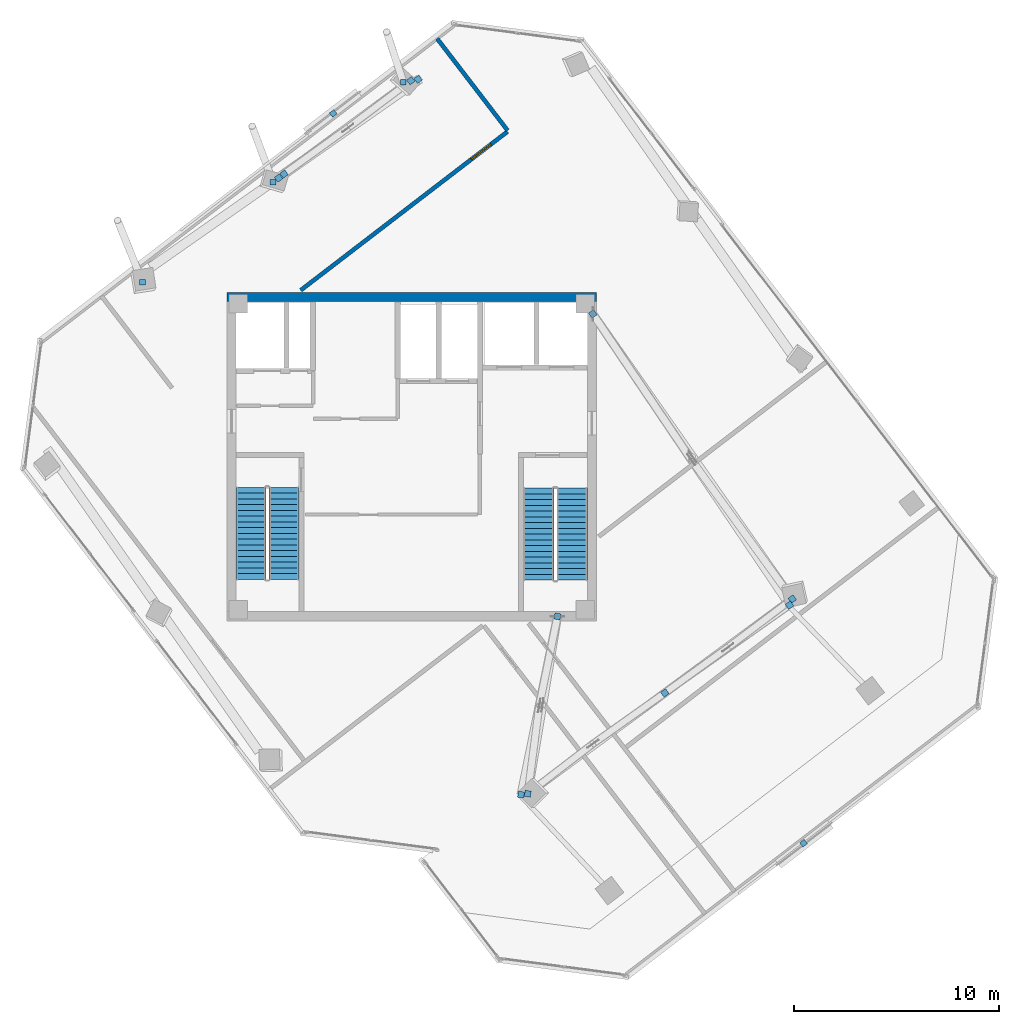
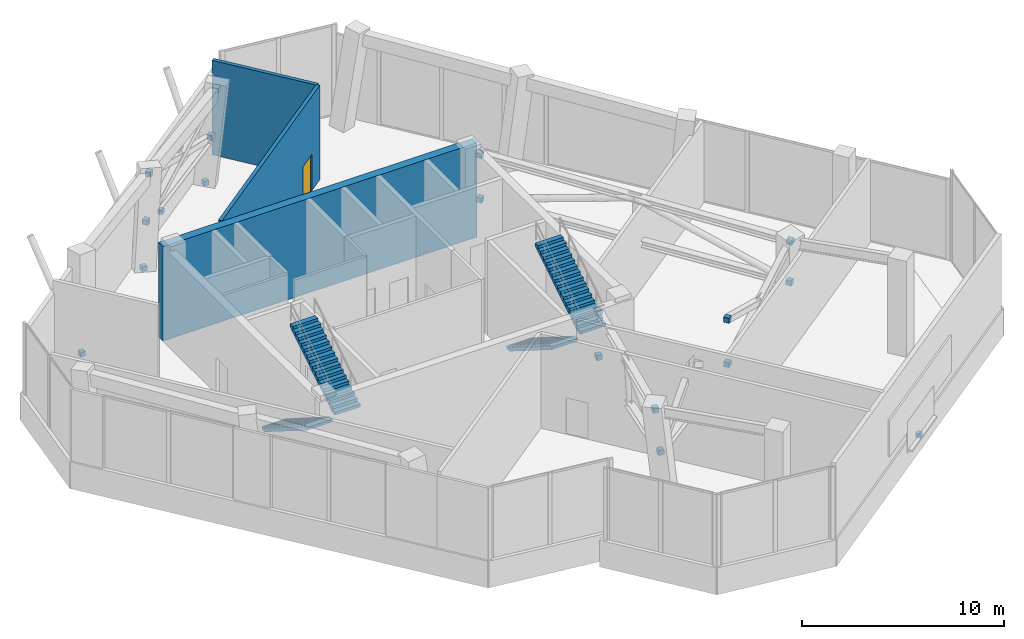
# One storey, part 16 of 19: 19 discrete accessories, 4 stair flights, 3 walls, 1 door, 1 opening, 2 elements without a shape of their own.
"""IFC4 building model written with IfcOpenShell, lengths in metres."""

import ifcopenshell
import ifcopenshell.guid

model = None  # the IFC model being written
_history = None  # IfcOwnerHistory: only IFC2X3 demands one
_inside = {}  # id of a spatial element -> (the spatial element, [elements in it])
_under = {}  # id of a project, library or spatial element -> (it, [spatial elements below it])
_declared = {}  # id of a project -> (the project, [libraries it declares])
_typed = {}  # id of a type object -> (the type object, [elements of that type])
_made_of = {}  # id of a material, layer set ... -> (it, [elements and type objects made of it])


def new_model(schema):
    """Start an empty IFC model of exactly this schema.

    Asked for "IFC4X3", IfcOpenShell would pick the latest addendum, in which some entities
    have other attributes; the version numbers below select the first issue.
    IFC2X3 requires an IfcOwnerHistory on every rooted entity: one is made here for all.
    """
    global model, _history
    if schema == "IFC4X3":
        model = ifcopenshell.file(schema_version=(4, 3, 0, 0))
    else:
        model = ifcopenshell.file(schema=schema)
    _inside.clear()
    _under.clear()
    _declared.clear()
    _typed.clear()
    _made_of.clear()
    _history = None
    if model.schema == "IFC2X3":
        org = make("IfcOrganization", Name="unknown")
        user = make(
            "IfcPersonAndOrganization",
            ThePerson=make("IfcPerson", FamilyName="unknown"),
            TheOrganization=org,
        )
        app = make(
            "IfcApplication",
            ApplicationDeveloper=org,
            Version="unknown",
            ApplicationFullName="unknown",
            ApplicationIdentifier="unknown",
        )
        _history = make(
            "IfcOwnerHistory",
            OwningUser=user,
            OwningApplication=app,
            ChangeAction="ADDED",
            CreationDate=0,
        )
    return model


def make(cls, **values):
    """One entity of the class cls with the attributes given. An attribute that is None is left unset."""
    return model.create_entity(
        cls, **{name: value for name, value in values.items() if value is not None}
    )


def rooted(cls, **values):
    """An entity with a GlobalId (a new one), such as an element, a storey or a relation."""
    return make(cls, GlobalId=ifcopenshell.guid.new(), OwnerHistory=_history, **values)


def si_unit(unit_type, name, prefix=None):
    """IfcSIUnit, for example si_unit("LENGTHUNIT", "METRE", prefix="MILLI")."""
    return make("IfcSIUnit", UnitType=unit_type, Prefix=prefix, Name=name)


def assignment(units):
    """IfcUnitAssignment: the units of a project."""
    return None if units is None else make("IfcUnitAssignment", Units=units)


def point(xyz):
    """IfcCartesianPoint."""
    return None if xyz is None else make("IfcCartesianPoint", Coordinates=xyz)


def direction(xyz):
    """IfcDirection."""
    return None if xyz is None else make("IfcDirection", DirectionRatios=xyz)


def frame(location, z_axis=None, x_axis=None):
    """IfcAxis2Placement3D, a coordinate frame: its origin and axes. An axis left out is left unset."""
    return make(
        "IfcAxis2Placement3D",
        Location=point(location),
        Axis=direction(z_axis),
        RefDirection=direction(x_axis),
    )


def frame_2d(location, x_axis=None):
    """IfcAxis2Placement2D, a coordinate frame in the plane: its origin and x axis."""
    return make(
        "IfcAxis2Placement2D", Location=point(location), RefDirection=direction(x_axis)
    )


def origin():
    """The frame at (0, 0, 0) with its axes left unset."""
    return frame((0.0, 0.0, 0.0))


def origin_2d():
    """The frame at (0, 0) in the plane with its x axis left unset."""
    return frame_2d((0.0, 0.0))


def place(relative_to, where):
    """IfcLocalPlacement: puts the frame where relative to a parent placement (None: the world)."""
    return make(
        "IfcLocalPlacement", PlacementRelTo=relative_to, RelativePlacement=where
    )


def context(
    kind, dimensions, precision=None, world=None, true_north=None, identifier=None
):
    """IfcGeometricRepresentationContext, for example the 3D "Model" context."""
    return make(
        "IfcGeometricRepresentationContext",
        ContextIdentifier=identifier,
        ContextType=kind,
        CoordinateSpaceDimension=dimensions,
        Precision=precision,
        WorldCoordinateSystem=world,
        TrueNorth=true_north,
    )


def subcontext(parent, identifier, kind, view, scale=None):
    """IfcGeometricRepresentationSubContext, for example "Body" below "Model"."""
    return make(
        "IfcGeometricRepresentationSubContext",
        ContextIdentifier=identifier,
        ContextType=kind,
        ParentContext=parent,
        TargetScale=scale,
        TargetView=view,
    )


def project(units=None, contexts=None):
    """IfcProject with its units and contexts."""
    return rooted(
        "IfcProject",
        Name="project",
        RepresentationContexts=contexts,
        UnitsInContext=assignment(units),
    )


def spatial(cls, under=None, at=None, **own):
    """A site, building, storey or space (cls), placed at a placement, below another one or the project."""
    s = rooted(cls, ObjectPlacement=at, **own)
    if under is not None:
        _under.setdefault(under.id(), (under, []))[1].append(s)
    return s


def polyline(points):
    """IfcPolyline through the points."""
    return make("IfcPolyline", Points=[point(p) for p in points])


def profile(cls, at=None, kind="AREA", **sizes):
    """A parametric profile (cls). Its sizes go by their IFC names, for example OverallWidth=200.0."""
    return make(cls, ProfileType=kind, Position=at, **sizes)


def rectangle(**sizes):
    """IfcRectangleProfileDef."""
    return profile("IfcRectangleProfileDef", **sizes)


def outline(outer, holes=None, kind="AREA"):
    """IfcArbitraryClosedProfileDef: a profile drawn as a closed curve; with holes, ...WithVoids."""
    if holes is None:
        return make("IfcArbitraryClosedProfileDef", ProfileType=kind, OuterCurve=outer)
    return make(
        "IfcArbitraryProfileDefWithVoids",
        ProfileType=kind,
        OuterCurve=outer,
        InnerCurves=holes,
    )


def extrude(swept, where, along, depth):
    """IfcExtrudedAreaSolid: the profile swept, set in the frame where, extruded along a direction by depth."""
    return make(
        "IfcExtrudedAreaSolid",
        SweptArea=swept,
        Position=where,
        ExtrudedDirection=direction(along),
        Depth=depth,
    )


def shape(context_of_items, identifier, shape_type, items):
    """IfcShapeRepresentation: the items that make up one representation, for example the "Body"."""
    return make(
        "IfcShapeRepresentation",
        ContextOfItems=context_of_items,
        RepresentationIdentifier=identifier,
        RepresentationType=shape_type,
        Items=items,
    )


def source(mapping_origin, context_of_items, identifier, shape_type, items):
    """IfcRepresentationMap: a shape defined once, which mapped items show again and again."""
    return make(
        "IfcRepresentationMap",
        MappingOrigin=mapping_origin,
        MappedRepresentation=shape(context_of_items, identifier, shape_type, items),
    )


def transform(
    local_origin,
    x_axis=None,
    y_axis=None,
    z_axis=None,
    scale=None,
    scale2=None,
    scale3=None,
    uniform=True,
):
    """IfcCartesianTransformationOperator3D, or its non-uniform kind. x_axis, y_axis, z_axis: its Axis1, 2, 3."""
    if uniform:
        return make(
            "IfcCartesianTransformationOperator3D",
            Axis1=direction(x_axis),
            Axis2=direction(y_axis),
            LocalOrigin=point(local_origin),
            Scale=scale,
            Axis3=direction(z_axis),
        )
    return make(
        "IfcCartesianTransformationOperator3DnonUniform",
        Axis1=direction(x_axis),
        Axis2=direction(y_axis),
        LocalOrigin=point(local_origin),
        Scale=scale,
        Axis3=direction(z_axis),
        Scale2=scale2,
        Scale3=scale3,
    )


def mapped(mapping_source, mapping_target):
    """IfcMappedItem: shows the shape of a source again, moved by a transform."""
    return make(
        "IfcMappedItem", MappingSource=mapping_source, MappingTarget=mapping_target
    )


def material(Name=None, Category=None):
    """IfcMaterial."""
    return make("IfcMaterial", Name=Name, Category=Category)


def layer(
    of_material, thickness, ventilated=None, Name=None, Category=None, Priority=None
):
    """IfcMaterialLayer: one layer of a wall or slab, of a material (None: an air gap)."""
    return make(
        "IfcMaterialLayer",
        Material=of_material,
        LayerThickness=thickness,
        IsVentilated=ventilated,
        Name=Name,
        Category=Category,
        Priority=Priority,
    )


def layer_set(layers, Name=None):
    """IfcMaterialLayerSet."""
    return make("IfcMaterialLayerSet", MaterialLayers=layers, LayerSetName=Name)


def made_of(thing, what):
    """Note that an element or type object is made of a material, layer set ...; save() writes the relation."""
    if what is not None:
        _made_of.setdefault(what.id(), (what, []))[1].append(thing)
    return thing


def type_object(cls, material=None, **own):
    """A type object (cls), such as IfcWallType, which elements share."""
    return made_of(rooted(cls, **own), material)


def element(
    cls,
    number,
    at=None,
    inside=None,
    cuts=None,
    type_object=None,
    material=None,
    context=None,
    identifier="Body",
    shape_type=None,
    held_by="IfcProductDefinitionShape",
    body=None,
    shapes=None,
    **own,
):
    """One element of the class cls, such as IfcWall. Its Tag is "e" and its number.

    at: its placement. inside: the storey or other place that contains it. cuts: it is an
    opening in that element (IfcRelVoidsElement). A single representation is given by context,
    identifier, shape_type and body (its items); several are given by shapes. held_by: the class
    of the entity that holds the representations. save() writes the other relations.
    """
    e = rooted(cls, Tag="e%d" % number, ObjectPlacement=at, **own)
    if body is not None:
        shapes = [shape(context, identifier, shape_type, body)]
    if shapes is not None:
        e.Representation = make(held_by, Representations=shapes)
    if inside is not None:
        _inside.setdefault(inside.id(), (inside, []))[1].append(e)
    if cuts is not None:
        rooted(
            "IfcRelVoidsElement", RelatingBuildingElement=cuts, RelatedOpeningElement=e
        )
    if type_object is not None:
        _typed.setdefault(type_object.id(), (type_object, []))[1].append(e)
    return made_of(e, material)


def fill(opening, filler):
    """IfcRelFillsElement: the door or window that sits in an opening."""
    return rooted(
        "IfcRelFillsElement",
        RelatingOpeningElement=opening,
        RelatedBuildingElement=filler,
    )


def aggregate(whole, parts):
    """IfcRelAggregates: a whole, such as a stair, and the parts it consists of."""
    return rooted("IfcRelAggregates", RelatingObject=whole, RelatedObjects=parts)


def save(model, path):
    """Write the relations noted so far, then the file.

    IfcRelAggregates (storeys below a building ...), IfcRelContainedInSpatialStructure (elements
    in a storey), IfcRelDefinesByType, IfcRelAssociatesMaterial and IfcRelDeclares: one each for
    every whole, place, type object, material and project.
    """
    for whole, parts in _under.values():
        aggregate(whole, parts)
    for where, things in _inside.values():
        rooted(
            "IfcRelContainedInSpatialStructure",
            RelatedElements=things,
            RelatingStructure=where,
        )
    for kind, things in _typed.values():
        rooted("IfcRelDefinesByType", RelatedObjects=things, RelatingType=kind)
    for what, things in _made_of.values():
        rooted("IfcRelAssociatesMaterial", RelatedObjects=things, RelatingMaterial=what)
    for by, libraries in _declared.values():
        rooted("IfcRelDeclares", RelatingContext=by, RelatedDefinitions=libraries)
    model.write(path)


model = new_model("IFC4")

# Units and contexts
model_context = context("Model", 3, precision=1e-05, world=origin(), true_north=direction((0.0, 1.0)))
body_context = subcontext(model_context, "Body", "Model", "MODEL_VIEW")
ifc_project = project(units=[si_unit("LENGTHUNIT", "METRE"), si_unit("AREAUNIT", "SQUARE_METRE"), si_unit("VOLUMEUNIT", "CUBIC_METRE"), si_unit("PLANEANGLEUNIT", "RADIAN"), si_unit("MASSUNIT", "GRAM", prefix="KILO")], contexts=[model_context])

# Site, building, storey
site_placement = place(None, origin())
site = spatial("IfcSite", under=ifc_project, at=site_placement, CompositionType="ELEMENT")
building_placement = place(site_placement, origin())
building = spatial("IfcBuilding", under=site, at=building_placement, Name="Torre Montelarca", CompositionType="ELEMENT")
storey_placement = place(building_placement, frame((0.0, 0.0, 287.800048828125)))
storey = spatial("IfcBuildingStorey", under=building, at=storey_placement, Name="L65", CompositionType="ELEMENT", Elevation=287.800048828125)

# Walls
ifc_material_1 = material(Name="Concrete C55/67", Category="concrete")
ifc_layer_1 = layer(ifc_material_1, 0.449951171875, Name="Concrete C55/67", Category="concrete")
ifc_layer_set_1 = layer_set([ifc_layer_1], Name="Concrete C55/67")
wall_type_1 = type_object("IfcWallType", Name="CW-SHEAR-450", PredefinedType="SHEAR", material=ifc_layer_set_1)
wall_1_placement = place(storey_placement, frame((9.0, 39.77490234375, 0.0), z_axis=(0.0, 0.0, 1.0), x_axis=(1.0, 0.0, 0.0)))
element("IfcWall", 1, at=wall_1_placement, inside=storey, type_object=wall_type_1, Name="L65 Core Shear Wall CW-N1", PredefinedType="SHEAR", context=body_context, shape_type="SweptSolid", body=[
    extrude(rectangle(XDim=18.0, YDim=0.449951171875, at=frame_2d((9.0, 0.0))), origin(), (0.0, 0.0, 1.0), 5.719970703125),
])
ifc_material_2 = material(Name="Gypsum fireboard and rockwool on steel stud", Category="steel")
ifc_layer_2 = layer(ifc_material_2, 0.199951171875, Name="Gypsum fireboard and rockwool on steel stud", Category="steel")
ifc_layer_set_2 = layer_set([ifc_layer_2], Name="Gypsum fireboard and rockwool on steel stud")
wall_type_2 = type_object("IfcWallType", Name="PW-FIRE-200", PredefinedType="SOLIDWALL", material=ifc_layer_set_2)
wall_2_placement = place(storey_placement, frame((19.244140625, 52.3525390625, 0.0), z_axis=(0.0, 0.0, 1.0), x_axis=(0.608733737657, -0.793374587845, 0.0)))
element("IfcWall", 2, at=wall_2_placement, inside=storey, type_object=wall_type_2, Name="L65 Interior Partition W-L65-ELECN", PredefinedType="SOLIDWALL", context=body_context, shape_type="SweptSolid", body=[
    extrude(rectangle(XDim=5.630126953125, YDim=0.199951171875, at=frame_2d((2.81494140625, 0.0))), origin(), (0.0, 0.0, 1.0), 5.719970703125),
])

# Wall, opening, door
wall_3_placement = place(storey_placement, frame((12.595947265625, 40.1044921875, 0.0), z_axis=(0.0, 0.0, 1.0), x_axis=(0.793370042757, 0.608739661314, 0.0)))
wall_3 = element("IfcWall", 3, at=wall_3_placement, inside=storey, type_object=wall_type_2, Name="L65 Interior Partition W-L65-ELECE", PredefinedType="SOLIDWALL", context=body_context, shape_type="SweptSolid", body=[
    extrude(rectangle(XDim=12.6904296875, YDim=0.199951171875, at=frame_2d((6.34521484375, 0.0))), origin(), (0.0, 0.0, 1.0), 5.719970703125),
])
opening_placement = place(wall_3_placement, frame((10.469970703125, 0.0, 0.0)))
opening = element("IfcOpeningElement", 4, at=opening_placement, cuts=wall_3, Name="Opening FD-120", PredefinedType="OPENING", context=body_context, shape_type="SweptSolid", body=[
    extrude(rectangle(XDim=1.199951171875, YDim=2.199951171875, at=frame_2d((0.60009765625, 1.10009765625))), frame((0.0, 0.10986328125, 0.0), z_axis=(0.0, -1.0, 0.0), x_axis=(1.0, 0.0, 0.0)), (0.0, 0.0, 1.0), 0.219970703125),
])
ifc_material_3 = material(Name="Galvanized steel fire door", Category="steel")
door_type = type_object("IfcDoorType", Name="DR-FIRE-120", OperationType="NOTDEFINED", PredefinedType="DOOR", material=ifc_material_3)
shared_shape_1 = source(origin(), body_context, "Body", "SweptSolid", [
    extrude(rectangle(XDim=1.199951171875, YDim=2.199951171875, at=frame_2d((0.60009765625, 1.10009765625))), frame((0.0, 0.02490234375, 0.0), z_axis=(0.0, -1.0, 0.0), x_axis=(1.0, 0.0, 0.0)), (0.0, 0.0, 1.0), 0.050048828125),
])
door_placement = place(opening_placement, origin())
door = element("IfcDoor", 5, at=door_placement, inside=storey, type_object=door_type, Name="L65 Interior Door 08", OperationType="SINGLE_SWING_RIGHT", OverallHeight=2.199951171875, OverallWidth=1.199951171875, PredefinedType="DOOR", context=body_context, shape_type="MappedRepresentation", body=[
    mapped(shared_shape_1, transform((0.0, 0.0, 0.0), scale=1.0)),
])
fill(opening, door)

# Stair, stair flights
ifc_material_4 = material(Name="Concrete C40/50", Category="concrete")
stair_type_1 = type_object("IfcStairType", Name="ST-CORE-ST1", PredefinedType="HALF_TURN_STAIR", material=ifc_material_4)
stair_1_placement = place(storey_placement, origin())
stair_1 = element("IfcStair", 6, at=stair_1_placement, inside=storey, type_object=stair_type_1, Name="L65 Protected Exit Stair ST1", PredefinedType="HALF_TURN_STAIR")
stair_flight_type_1 = type_object("IfcStairFlightType", Name="SFL-CORE-ST1", PredefinedType="STRAIGHT", material=ifc_material_4)
stair_flight_1_placement = place(storey_placement, frame((10.175048828125, 30.5, 0.0), z_axis=(0.0, 0.0, 1.0), x_axis=(0.0, -1.0, 0.0)))
stair_flight_1 = element("IfcStairFlight", 7, at=stair_flight_1_placement, type_object=stair_flight_type_1, Name="ST1 flight 1", NumberOfRisers=17, NumberOfTreads=16, PredefinedType="STRAIGHT", RiserHeight=0.176470588, TreadLength=0.28, context=body_context, shape_type="SweptSolid", body=[
    extrude(outline(polyline([(0.0, 0.0), (0.0, 0.176513671875), (0.280029296875, 0.176513671875), (0.280029296875, 0.35302734375), (0.56005859375, 0.35302734375), (0.56005859375, 0.529296875), (0.840087890625, 0.529296875), (0.840087890625, 0.705810546875), (1.1201171875, 0.705810546875), (1.1201171875, 0.88232421875), (1.39990234375, 0.88232421875), (1.39990234375, 1.058837890625), (1.679931640625, 1.058837890625), (1.679931640625, 1.2353515625), (1.9599609375, 1.2353515625), (1.9599609375, 1.411865234375), (2.239990234375, 1.411865234375), (2.239990234375, 1.588134765625), (2.52001953125, 1.588134765625), (2.52001953125, 1.7646484375), (2.800048828125, 1.7646484375), (2.800048828125, 1.941162109375), (3.080078125, 1.941162109375), (3.080078125, 2.11767578125), (3.360107421875, 2.11767578125), (3.360107421875, 2.294189453125), (3.639892578125, 2.294189453125), (3.639892578125, 2.470703125), (3.919921875, 2.470703125), (3.919921875, 2.64697265625), (4.199951171875, 2.64697265625), (4.199951171875, 2.823486328125), (4.47998046875, 2.823486328125), (4.47998046875, 3.0), (4.47998046875, 2.646240234375), (0.28125, 0.0), (0.0, 0.0)])), frame((0.0, 0.72509765625, 0.0), z_axis=(0.0, -1.0, 0.0), x_axis=(1.0, 0.0, 0.0)), (0.0, 0.0, 1.0), 1.449951171875),
])
stair_flight_2_placement = place(storey_placement, frame((11.77490234375, 26.02001953125, 3.0), z_axis=(0.0, 0.0, 1.0), x_axis=(0.0, 1.0, 0.0)))
stair_flight_2 = element("IfcStairFlight", 8, at=stair_flight_2_placement, type_object=stair_flight_type_1, Name="ST1 flight 2", NumberOfRisers=17, NumberOfTreads=16, PredefinedType="STRAIGHT", RiserHeight=0.176470588, TreadLength=0.28, context=body_context, shape_type="SweptSolid", body=[
    extrude(outline(polyline([(0.0, 0.0), (0.0, 0.176513671875), (0.280029296875, 0.176513671875), (0.280029296875, 0.35302734375), (0.56005859375, 0.35302734375), (0.56005859375, 0.529296875), (0.840087890625, 0.529296875), (0.840087890625, 0.705810546875), (1.1201171875, 0.705810546875), (1.1201171875, 0.88232421875), (1.39990234375, 0.88232421875), (1.39990234375, 1.058837890625), (1.679931640625, 1.058837890625), (1.679931640625, 1.2353515625), (1.9599609375, 1.2353515625), (1.9599609375, 1.411865234375), (2.239990234375, 1.411865234375), (2.239990234375, 1.588134765625), (2.52001953125, 1.588134765625), (2.52001953125, 1.7646484375), (2.800048828125, 1.7646484375), (2.800048828125, 1.941162109375), (3.080078125, 1.941162109375), (3.080078125, 2.11767578125), (3.360107421875, 2.11767578125), (3.360107421875, 2.294189453125), (3.639892578125, 2.294189453125), (3.639892578125, 2.470703125), (3.919921875, 2.470703125), (3.919921875, 2.64697265625), (4.199951171875, 2.64697265625), (4.199951171875, 2.823486328125), (4.47998046875, 2.823486328125), (4.47998046875, 3.0), (4.47998046875, 2.646240234375), (0.28125, 0.0), (0.0, 0.0)])), frame((0.0, 0.72509765625, 0.0), z_axis=(0.0, -1.0, 0.0), x_axis=(1.0, 0.0, 0.0)), (0.0, 0.0, 1.0), 1.449951171875),
])
aggregate(stair_1, [stair_flight_1, stair_flight_2])

stair_type_2 = type_object("IfcStairType", Name="ST-CORE-ST2", PredefinedType="HALF_TURN_STAIR", material=ifc_material_4)
stair_2_placement = place(storey_placement, origin())
stair_2 = element("IfcStair", 9, at=stair_2_placement, inside=storey, type_object=stair_type_2, Name="L65 Protected Exit Stair ST2", PredefinedType="HALF_TURN_STAIR")
stair_flight_type_2 = type_object("IfcStairFlightType", Name="SFL-CORE-ST2", PredefinedType="STRAIGHT", material=ifc_material_4)
stair_flight_3_placement = place(storey_placement, frame((24.179931640625, 30.469970703125, 0.0), z_axis=(0.0, 0.0, 1.0), x_axis=(0.0, -1.0, 0.0)))
stair_flight_3 = element("IfcStairFlight", 10, at=stair_flight_3_placement, type_object=stair_flight_type_2, Name="ST2 flight 1", NumberOfRisers=17, NumberOfTreads=16, PredefinedType="STRAIGHT", RiserHeight=0.176470588, TreadLength=0.28, context=body_context, shape_type="SweptSolid", body=[
    extrude(outline(polyline([(0.0, 0.0), (0.0, 0.176513671875), (0.280029296875, 0.176513671875), (0.280029296875, 0.35302734375), (0.56005859375, 0.35302734375), (0.56005859375, 0.529296875), (0.840087890625, 0.529296875), (0.840087890625, 0.705810546875), (1.1201171875, 0.705810546875), (1.1201171875, 0.88232421875), (1.39990234375, 0.88232421875), (1.39990234375, 1.058837890625), (1.679931640625, 1.058837890625), (1.679931640625, 1.2353515625), (1.9599609375, 1.2353515625), (1.9599609375, 1.411865234375), (2.239990234375, 1.411865234375), (2.239990234375, 1.588134765625), (2.52001953125, 1.588134765625), (2.52001953125, 1.7646484375), (2.800048828125, 1.7646484375), (2.800048828125, 1.941162109375), (3.080078125, 1.941162109375), (3.080078125, 2.11767578125), (3.360107421875, 2.11767578125), (3.360107421875, 2.294189453125), (3.639892578125, 2.294189453125), (3.639892578125, 2.470703125), (3.919921875, 2.470703125), (3.919921875, 2.64697265625), (4.199951171875, 2.64697265625), (4.199951171875, 2.823486328125), (4.47998046875, 2.823486328125), (4.47998046875, 3.0), (4.47998046875, 2.646240234375), (0.28125, 0.0), (0.0, 0.0)])), frame((0.0, 0.739990234375, 0.0), z_axis=(0.0, -1.0, 0.0), x_axis=(1.0, 0.0, 0.0)), (0.0, 0.0, 1.0), 1.47998046875),
])
stair_flight_4_placement = place(storey_placement, frame((25.81005859375, 25.989990234375, 3.0), z_axis=(0.0, 0.0, 1.0), x_axis=(0.0, 1.0, 0.0)))
stair_flight_4 = element("IfcStairFlight", 11, at=stair_flight_4_placement, type_object=stair_flight_type_2, Name="ST2 flight 2", NumberOfRisers=17, NumberOfTreads=16, PredefinedType="STRAIGHT", RiserHeight=0.176470588, TreadLength=0.28, context=body_context, shape_type="SweptSolid", body=[
    extrude(outline(polyline([(0.0, 0.0), (0.0, 0.176513671875), (0.280029296875, 0.176513671875), (0.280029296875, 0.35302734375), (0.56005859375, 0.35302734375), (0.56005859375, 0.529296875), (0.840087890625, 0.529296875), (0.840087890625, 0.705810546875), (1.1201171875, 0.705810546875), (1.1201171875, 0.88232421875), (1.39990234375, 0.88232421875), (1.39990234375, 1.058837890625), (1.679931640625, 1.058837890625), (1.679931640625, 1.2353515625), (1.9599609375, 1.2353515625), (1.9599609375, 1.411865234375), (2.239990234375, 1.411865234375), (2.239990234375, 1.588134765625), (2.52001953125, 1.588134765625), (2.52001953125, 1.7646484375), (2.800048828125, 1.7646484375), (2.800048828125, 1.941162109375), (3.080078125, 1.941162109375), (3.080078125, 2.11767578125), (3.360107421875, 2.11767578125), (3.360107421875, 2.294189453125), (3.639892578125, 2.294189453125), (3.639892578125, 2.470703125), (3.919921875, 2.470703125), (3.919921875, 2.64697265625), (4.199951171875, 2.64697265625), (4.199951171875, 2.823486328125), (4.47998046875, 2.823486328125), (4.47998046875, 3.0), (4.47998046875, 2.646240234375), (0.28125, 0.0), (0.0, 0.0)])), frame((0.0, 0.739990234375, 0.0), z_axis=(0.0, -1.0, 0.0), x_axis=(1.0, 0.0, 0.0)), (0.0, 0.0, 1.0), 1.47998046875),
])
aggregate(stair_2, [stair_flight_3, stair_flight_4])

# Discrete accessories
ifc_material_5 = material(Name="Stainless steel AISI 316", Category="steel")
discrete_accessory_type = type_object("IfcDiscreteAccessoryType", Name="ACC-BRACKET-SS", PredefinedType="BRACKET", material=ifc_material_5)
shared_shape_2 = source(origin(), body_context, "Body", "SweptSolid", [
    extrude(rectangle(XDim=0.280029296875, YDim=0.280029296875, at=origin_2d()), origin(), (0.0, 0.0, 1.0), 0.280029296875),
])
for number, where, z_axis, x_axis, name in (
    (12, (4.8955078125, 40.497802734375, 0.009765625), (0.0, 0.0, 1.0), (1.0, 0.0, 0.0), "L66 Raker End Connection Bracket W1-FT"),
    (13, (11.242431640625, 45.367919921875, 0.009765625), (0.0, 0.0, 1.0), (1.0, 0.0, 0.0), "L66 Raker End Connection Bracket W2-FT"),
    (14, (17.589111328125, 50.238037109375, 0.009765625), (0.0, 0.0, 1.0), (1.0, 0.0, 0.0), "L66 Raker End Connection Bracket W3-FT"),
):
    element("IfcDiscreteAccessory", number, at=place(storey_placement, frame(where, z_axis=z_axis, x_axis=x_axis)), inside=storey, type_object=discrete_accessory_type, Name=name, PredefinedType="BRACKET", context=body_context, shape_type="MappedRepresentation", body=[
        mapped(shared_shape_2, transform((0.0, 0.0, 0.0), scale=1.0)),
    ])
shared_shape_3 = source(origin(), body_context, "Body", "SweptSolid", [
    extrude(rectangle(XDim=0.300048828125, YDim=0.300048828125, at=origin_2d()), origin(), (0.0, 0.0, 1.0), 0.300048828125),
])
for number, where, z_axis, x_axis, name in (
    (15, (25.10009765625, 24.219970703125, 2.60009765625), (0.0, 0.0, 1.0), (0.165391874421, 0.986227928968, 0.0), "L65 Outrigger End Connection Bracket 1-CB"),
    (16, (25.10009765625, 24.219970703125, 5.2998046875), (0.0, 0.0, 1.0), (0.165391874421, 0.986227928968, 0.0), "L65 Outrigger End Connection Bracket 1-CT"),
    (17, (23.65185546875, 15.583984375, 2.60009765625), (0.0, 0.0, 1.0), (0.165391874421, 0.986227928968, 0.0), "L65 Outrigger End Connection Bracket 1-WB"),
    (18, (23.329345703125, 15.542236328125, 5.2998046875), (0.0, 0.0, 1.0), (0.165391874421, 0.986227928968, 0.0), "L65 Outrigger End Connection Bracket 1-WT"),
    (19, (26.820068359375, 38.949951171875, 2.60009765625), (0.0, 0.0, 1.0), (-0.573290463408, 0.819352210326, 0.0), "L65 Outrigger End Connection Bracket 2-CB"),
    (20, (26.820068359375, 38.949951171875, 5.2998046875), (0.0, 0.0, 1.0), (-0.573290463408, 0.819352210326, 0.0), "L65 Outrigger End Connection Bracket 2-CT"),
    (21, (36.53466796875, 25.06591796875, 2.60009765625), (0.0, 0.0, 1.0), (-0.573290463408, 0.819352210326, 0.0), "L65 Outrigger End Connection Bracket 2-WB"),
    (22, (36.39794921875, 24.77099609375, 5.2998046875), (0.0, 0.0, 1.0), (-0.573290463408, 0.819352210326, 0.0), "L65 Outrigger End Connection Bracket 2-WT"),
    (23, (11.51416015625, 45.567138671875, 2.60009765625), (0.0, 0.0, 1.0), (0.80541134648, 0.592716258391, 0.0), "L65 Belt-Truss End Connection Bracket 1-B0"),
    (24, (17.95556640625, 50.308349609375, 2.60009765625), (0.0, 0.0, 1.0), (0.80541134648, 0.592716258391, 0.0), "L65 Belt-Truss End Connection Bracket 1-B1"),
    (25, (11.781005859375, 45.762939453125, 5.2998046875), (0.0, 0.0, 1.0), (0.80541134648, 0.592716258391, 0.0), "L65 Belt-Truss End Connection Bracket 1-T0"),
    (26, (18.315185546875, 50.377197265625, 5.2998046875), (0.0, 0.0, 1.0), (0.80541134648, 0.592716258391, 0.0), "L65 Belt-Truss End Connection Bracket 1-T1"),
    (27, (30.326904296875, 20.496337890625, 2.60009765625), (0.0, 0.0, 1.0), (0.80541134648, 0.592716258391, 0.0), "L65 Belt-Truss End Connection Bracket 2-B1"),
    (28, (30.326904296875, 20.496337890625, 5.2998046875), (0.0, 0.0, 1.0), (0.80541134648, 0.592716258391, 0.0), "L65 Belt-Truss End Connection Bracket 2-T1"),
):
    element("IfcDiscreteAccessory", number, at=place(storey_placement, frame(where, z_axis=z_axis, x_axis=x_axis)), inside=storey, type_object=discrete_accessory_type, Name=name, PredefinedType="BRACKET", context=body_context, shape_type="MappedRepresentation", body=[
        mapped(shared_shape_3, transform((0.0, 0.0, 0.0), scale=1.0)),
    ])
shared_shape_4 = source(origin(), body_context, "Body", "SweptSolid", [
    extrude(rectangle(XDim=0.280029296875, YDim=0.260009765625, at=origin_2d()), origin(), (0.0, 0.0, 1.0), 0.239990234375),
])
for number, where, z_axis, x_axis, name in (
    (29, (37.080078125, 13.17431640625, 0.39990234375), (0.0, 0.0, 1.0), (0.793351215308, 0.608764198331, 0.0), "L65 Solar Screen Support Bracket E6-1"),
    (30, (14.177734375, 48.717041015625, 0.39990234375), (0.0, 0.0, 1.0), (-0.793352277801, -0.608762813671, 0.0), "L65 Solar Screen Support Bracket E10-1"),
):
    element("IfcDiscreteAccessory", number, at=place(storey_placement, frame(where, z_axis=z_axis, x_axis=x_axis)), inside=storey, type_object=discrete_accessory_type, Name=name, PredefinedType="BRACKET", context=body_context, shape_type="MappedRepresentation", body=[
        mapped(shared_shape_4, transform((0.0, 0.0, 0.0), scale=1.0)),
    ])

save(model, "model.ifc")
